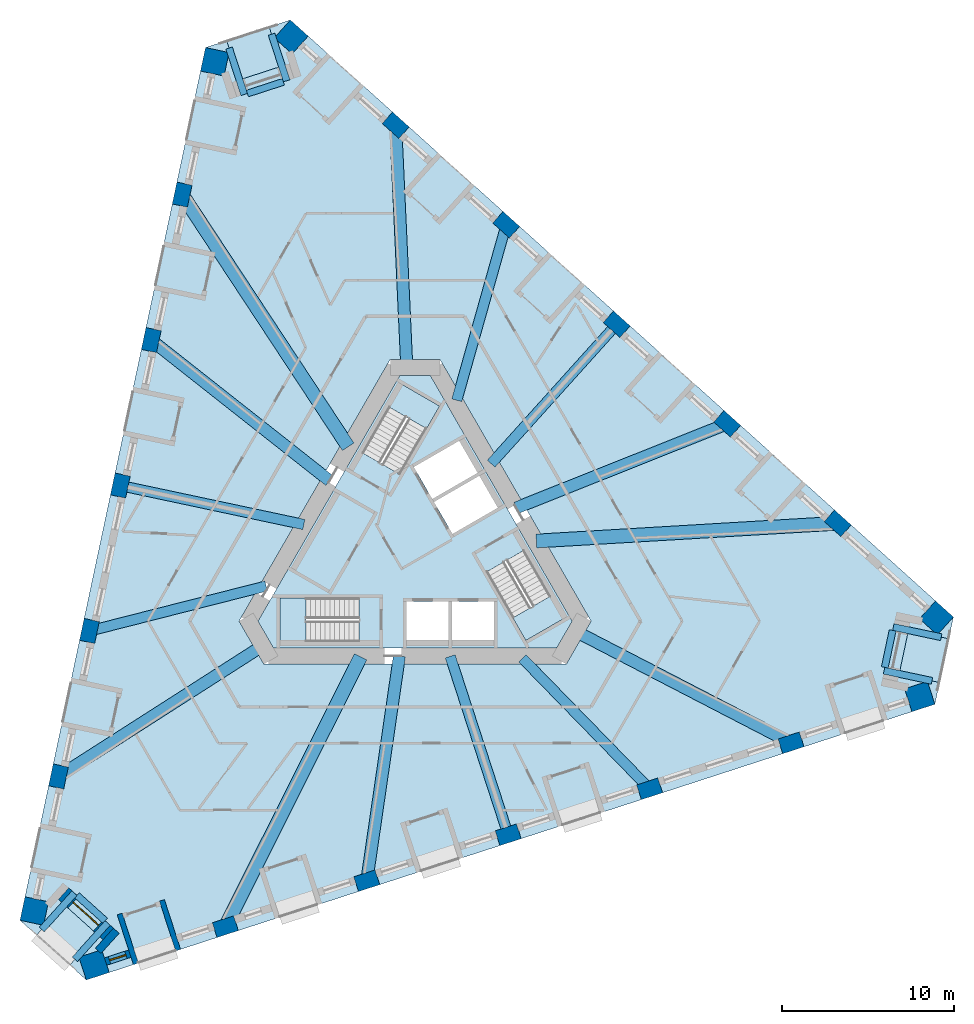
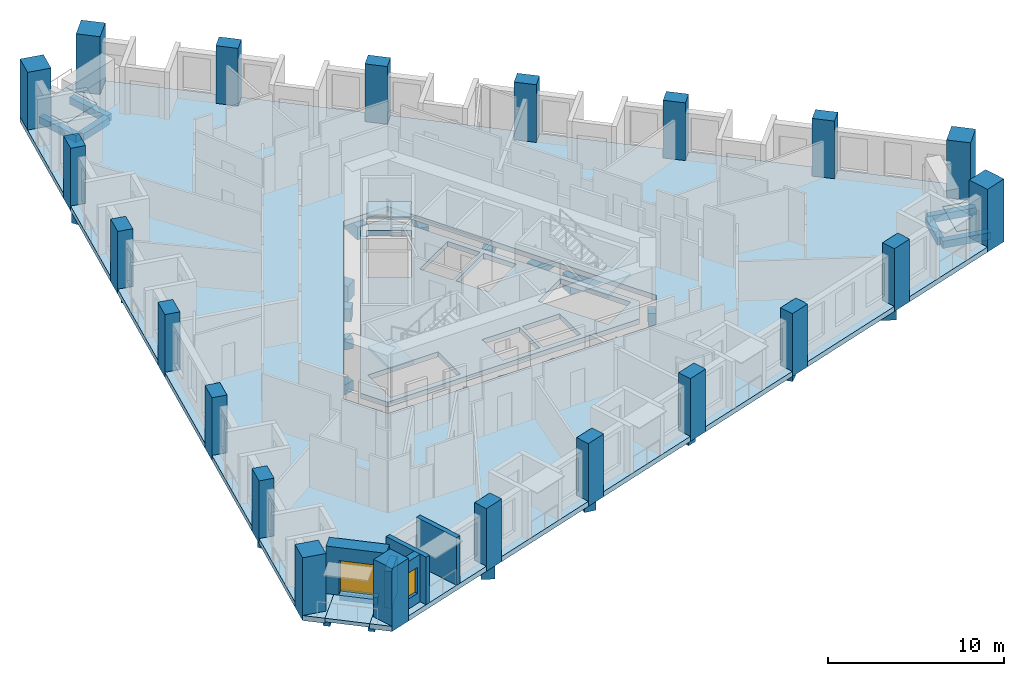
# One storey, part 1 of 12: 24 beams, 21 columns, 8 slabs, 5 walls, 1 door, 1 window, 2 openings, 3 elements without a shape of their own.
"""IFC4 building model written with IfcOpenShell, lengths in metres."""

from ifc_helpers import new_model, si_unit, direction, frame, frame_2d, origin, origin_2d, place, context, subcontext, project, spatial, polyline, rectangle, outline, extrude, material, layer, layer_set, material_profile, profile_set, type_object, element, fill, aggregate, save


model = new_model("IFC4")

# Units and contexts
model_context = context("Model", 3, precision=1e-05, world=origin(), true_north=direction((0.0, 1.0)))
body_context = subcontext(model_context, "Body", "Model", "MODEL_VIEW")
ifc_project = project(units=[si_unit("LENGTHUNIT", "METRE"), si_unit("AREAUNIT", "SQUARE_METRE"), si_unit("VOLUMEUNIT", "CUBIC_METRE"), si_unit("PLANEANGLEUNIT", "RADIAN"), si_unit("MASSUNIT", "GRAM", prefix="KILO")], contexts=[model_context])

# Site, building, storey
site_placement = place(None, origin())
site = spatial("IfcSite", under=ifc_project, at=site_placement, CompositionType="ELEMENT")
building_placement = place(site_placement, origin())
building = spatial("IfcBuilding", under=site, at=building_placement, Name="Tramontana Tower", CompositionType="ELEMENT")
storey_placement = place(building_placement, frame((0.0, 0.0, 88.39990234375)))
storey = spatial("IfcBuildingStorey", under=building, at=storey_placement, Name="L19", CompositionType="ELEMENT", Elevation=88.39990234375)

# Columns
ifc_material_1 = material(Name="Concrete 70 MPa", Category="concrete")
ifc_material_profile_1 = material_profile(ifc_material_1, rectangle(XDim=1.39990234375, YDim=1.39990234375, at=origin_2d()), Name="Mega column 1400X1400 70 MPa")
ifc_profile_set_1 = profile_set([ifc_material_profile_1], Name="Concrete 70 MPa")
column_type_1 = type_object("IfcColumnType", Name="Mega column 1400X1400 70 MPa", PredefinedType="COLUMN", material=ifc_profile_set_1)
for number, where, z_axis, x_axis, name in (
    (1, (-11.665771484375, 28.3251953125, -0.349853515625), (0.0, 0.0, 1.0), (-0.207911690818, -0.978147600734, 0.0), "Mega column C2K1 L19"),
    (2, (-22.17822265625, -21.13134765625, -0.349853515625), (0.0, 0.0, 1.0), (-0.207911690818, -0.978147600734, 0.0), "Mega column C2K2 L19"),
    (3, (-18.697509765625, -24.265380859375, -0.349853515625), (0.0, 0.0, 1.0), (0.951056516295, 0.309016994375, 0.0), "Mega column C2K3 L19"),
    (4, (29.389404296875, -8.64111328125, -0.349853515625), (0.0, 0.0, 1.0), (0.951056516295, 0.309016994375, 0.0), "Mega column C2K4 L19"),
    (5, (30.36328125, -4.059814453125, -0.349853515625), (0.0, 0.0, 1.0), (-0.743144825477, 0.669130606359, 0.0), "Mega column C2K5 L19"),
    (6, (-7.21142578125, 29.7724609375, -0.349853515625), (0.0, 0.0, 1.0), (-0.743144825477, 0.669130606359, 0.0), "Mega column C2K6 L19"),
):
    element("IfcColumn", number, at=place(storey_placement, frame(where, z_axis=z_axis, x_axis=x_axis)), inside=storey, type_object=column_type_1, Name=name, PredefinedType="COLUMN", context=body_context, shape_type="SweptSolid", body=[
        extrude(rectangle(XDim=1.39990234375, YDim=1.39990234375, at=origin_2d()), origin(), (0.0, 0.0, 1.0), 4.349853515625),
    ])
ifc_material_2 = material(Name="Concrete 55 MPa", Category="concrete")
ifc_material_profile_2 = material_profile(ifc_material_2, rectangle(XDim=1.300048828125, YDim=0.89990234375, at=origin_2d()), Name="Pier column 1300X900 55 MPa")
ifc_profile_set_2 = profile_set([ifc_material_profile_2], Name="Concrete 55 MPa")
column_type_2 = type_object("IfcColumnType", Name="Pier column 1300X900 55 MPa", PredefinedType="COLUMN", material=ifc_profile_set_2)
for number, where, z_axis, x_axis, name in (
    (7, (-13.5654296875, 20.5908203125, -0.349853515625), (0.0, 0.0, 1.0), (-0.207911690818, -0.978147600734, 0.0), "Pier column C2F01 L19"),
    (8, (-15.365966796875, 12.119873046875, -0.349853515625), (0.0, 0.0, 1.0), (-0.207911690818, -0.978147600734, 0.0), "Pier column C2F02 L19"),
    (9, (-17.16650390625, 3.64892578125, -0.349853515625), (0.0, 0.0, 1.0), (-0.207911690818, -0.978147600734, 0.0), "Pier column C2F03 L19"),
    (10, (-18.967041015625, -4.822265625, -0.349853515625), (0.0, 0.0, 1.0), (-0.207911690818, -0.978147600734, 0.0), "Pier column C2F04 L19"),
    (11, (-20.767578125, -13.293212890625, -0.349853515625), (0.0, 0.0, 1.0), (-0.207911690818, -0.978147600734, 0.0), "Pier column C2F05 L19"),
    (12, (-11.049560546875, -22.04345703125, -0.349853515625), (0.0, 0.0, 1.0), (0.951056516295, 0.309016994375, 0.0), "Pier column C2F06 L19"),
    (13, (-2.813232421875, -19.3671875, -0.349853515625), (0.0, 0.0, 1.0), (0.951056516295, 0.309016994375, 0.0), "Pier column C2F07 L19"),
    (14, (5.42333984375, -16.691162109375, -0.349853515625), (0.0, 0.0, 1.0), (0.951056516295, 0.309016994375, 0.0), "Pier column C2F08 L19"),
    (15, (13.65966796875, -14.014892578125, -0.349853515625), (0.0, 0.0, 1.0), (0.951056516295, 0.309016994375, 0.0), "Pier column C2F09 L19"),
    (16, (21.89599609375, -11.338623046875, -0.349853515625), (0.0, 0.0, 1.0), (0.951056516295, 0.309016994375, 0.0), "Pier column C2F10 L19"),
    (17, (24.614990234375, 1.452392578125, -0.349853515625), (0.0, 0.0, 1.0), (-0.743144825477, 0.669130606359, 0.0), "Pier column C2F11 L19"),
    (18, (18.178955078125, 7.247314453125, -0.349853515625), (0.0, 0.0, 1.0), (-0.743144825477, 0.669130606359, 0.0), "Pier column C2F12 L19"),
    (19, (11.7431640625, 13.042236328125, -0.349853515625), (0.0, 0.0, 1.0), (-0.743144825477, 0.669130606359, 0.0), "Pier column C2F13 L19"),
    (20, (5.307373046875, 18.8369140625, -0.349853515625), (0.0, 0.0, 1.0), (-0.743144825477, 0.669130606359, 0.0), "Pier column C2F14 L19"),
    (21, (-1.12841796875, 24.6318359375, -0.349853515625), (0.0, 0.0, 1.0), (-0.743144825477, 0.669130606359, 0.0), "Pier column C2F15 L19"),
):
    element("IfcColumn", number, at=place(storey_placement, frame(where, z_axis=z_axis, x_axis=x_axis)), inside=storey, type_object=column_type_2, Name=name, PredefinedType="COLUMN", context=body_context, shape_type="SweptSolid", body=[
        extrude(rectangle(XDim=1.300048828125, YDim=0.89990234375, at=origin_2d()), origin(), (0.0, 0.0, 1.0), 4.349853515625),
    ])

# Beams
ifc_material_3 = material(Name="Concrete 40 MPa", Category="concrete")
ifc_material_profile_3 = material_profile(ifc_material_3, rectangle(XDim=0.60009765625, YDim=0.699951171875, at=origin_2d()), Name="RC GIRDER 600X700 40 MPa")
ifc_profile_set_3 = profile_set([ifc_material_profile_3], Name="Concrete 40 MPa")
beam_type_1 = type_object("IfcBeamType", Name="RC GIRDER 600X700 40 MPa", PredefinedType="BEAM", material=ifc_profile_set_3)
beam_1_placement = place(storey_placement, frame((-17.16650390625, 3.64892578125, -0.699951171875), z_axis=(0.978147322784, -0.207912998466, 0.0), x_axis=(0.207912998466, 0.978147322784, 0.0)))
element("IfcBeam", 22, at=beam_1_placement, inside=storey, type_object=beam_type_1, Name="Radial girder C2F03 L19", PredefinedType="BEAM", context=body_context, shape_type="SweptSolid", body=[
    extrude(rectangle(XDim=0.60009765625, YDim=0.699951171875, at=origin_2d()), origin(), (0.0, 0.0, 1.0), 10.927490234375),
])
beam_2_placement = place(storey_placement, frame((-18.967041015625, -4.822265625, -0.699951171875), z_axis=(0.969167879742, 0.24640134106, 0.0), x_axis=(-0.24640134106, 0.969167879742, 0.0)))
element("IfcBeam", 23, at=beam_2_placement, inside=storey, type_object=beam_type_1, Name="Radial girder C2F04 L19", PredefinedType="BEAM", context=body_context, shape_type="SweptSolid", body=[
    extrude(rectangle(XDim=0.60009765625, YDim=0.699951171875, at=origin_2d()), origin(), (0.0, 0.0, 1.0), 10.61962890625),
])
beam_3_placement = place(storey_placement, frame((5.423095703125, -16.69091796875, -0.699951171875), z_axis=(-0.309006757929, 0.951059842257, 0.0), x_axis=(-0.951059842257, -0.309006757929, 0.0)))
element("IfcBeam", 24, at=beam_3_placement, inside=storey, type_object=beam_type_1, Name="Radial girder C2F08 L19", PredefinedType="BEAM", context=body_context, shape_type="SweptSolid", body=[
    extrude(rectangle(XDim=0.60009765625, YDim=0.699951171875, at=origin_2d()), origin(), (0.0, 0.0, 1.0), 10.927734375),
])
beam_4_placement = place(storey_placement, frame((13.65966796875, -14.014892578125, -0.699951171875), z_axis=(-0.697979323515, 0.716117912041, 0.0), x_axis=(-0.716117912041, -0.697979323515, 0.0)))
element("IfcBeam", 25, at=beam_4_placement, inside=storey, type_object=beam_type_1, Name="Radial girder C2F09 L19", PredefinedType="BEAM", context=body_context, shape_type="SweptSolid", body=[
    extrude(rectangle(XDim=0.60009765625, YDim=0.699951171875, at=origin_2d()), origin(), (0.0, 0.0, 1.0), 10.61962890625),
])
beam_5_placement = place(storey_placement, frame((11.7431640625, 13.042236328125, -0.699951171875), z_axis=(-0.669128882364, -0.743146377766, 0.0), x_axis=(0.743146377766, -0.669128882364, 0.0)))
element("IfcBeam", 26, at=beam_5_placement, inside=storey, type_object=beam_type_1, Name="Radial girder C2F13 L19", PredefinedType="BEAM", context=body_context, shape_type="SweptSolid", body=[
    extrude(rectangle(XDim=0.60009765625, YDim=0.699951171875, at=origin_2d()), origin(), (0.0, 0.0, 1.0), 10.927734375),
])
beam_6_placement = place(storey_placement, frame((5.307373046875, 18.8369140625, -0.699951171875), z_axis=(-0.271184951147, -0.962527257937, 0.0), x_axis=(0.962527257937, -0.271184951147, 0.0)))
element("IfcBeam", 27, at=beam_6_placement, inside=storey, type_object=beam_type_1, Name="Radial girder C2F14 L19", PredefinedType="BEAM", context=body_context, shape_type="SweptSolid", body=[
    extrude(rectangle(XDim=0.60009765625, YDim=0.699951171875, at=origin_2d()), origin(), (0.0, 0.0, 1.0), 10.61962890625),
])
ifc_material_4 = material(Name="Concrete 40 MPa", Category="concrete")
ifc_material_profile_4 = material_profile(ifc_material_4, rectangle(XDim=0.699951171875, YDim=0.89990234375, at=origin_2d()), Name="RC GIRDER 700X900 40 MPa")
ifc_profile_set_4 = profile_set([ifc_material_profile_4], Name="Concrete 40 MPa")
beam_type_2 = type_object("IfcBeamType", Name="RC GIRDER 700X900 40 MPa", PredefinedType="BEAM", material=ifc_profile_set_4)
beam_7_placement = place(storey_placement, frame((-15.365966796875, 12.119873046875, -0.7998046875), z_axis=(0.785161962565, -0.619290475093, 0.0), x_axis=(0.619290475093, 0.785161962565, 0.0)))
element("IfcBeam", 28, at=beam_7_placement, inside=storey, type_object=beam_type_2, Name="Radial girder C2F02 L19", PredefinedType="BEAM", context=body_context, shape_type="SweptSolid", body=[
    extrude(rectangle(XDim=0.699951171875, YDim=0.89990234375, at=origin_2d()), origin(), (0.0, 0.0, 1.0), 13.224609375),
])
beam_8_placement = place(storey_placement, frame((-20.767578125, -13.293212890625, -0.7998046875), z_axis=(0.842236860049, 0.539107662323, 0.0), x_axis=(-0.539107662323, 0.842236860049, 0.0)))
element("IfcBeam", 29, at=beam_8_placement, inside=storey, type_object=beam_type_2, Name="Radial girder C2F05 L19", PredefinedType="BEAM", context=body_context, shape_type="SweptSolid", body=[
    extrude(rectangle(XDim=0.699951171875, YDim=0.89990234375, at=origin_2d()), origin(), (0.0, 0.0, 1.0), 14.12109375),
])
beam_9_placement = place(storey_placement, frame((-2.81298828125, -19.3671875, -0.7998046875), z_axis=(0.143736706845, 0.989615965466, 0.0), x_axis=(-0.989615965466, 0.143736706845, 0.0)))
element("IfcBeam", 30, at=beam_9_placement, inside=storey, type_object=beam_type_2, Name="Radial girder C2F07 L19", PredefinedType="BEAM", context=body_context, shape_type="SweptSolid", body=[
    extrude(rectangle(XDim=0.699951171875, YDim=0.89990234375, at=origin_2d()), origin(), (0.0, 0.0, 1.0), 13.224609375),
])
beam_10_placement = place(storey_placement, frame((21.89599609375, -11.338623046875, -0.7998046875), z_axis=(-0.88800272981, 0.45983818007, 0.0), x_axis=(-0.45983818007, -0.88800272981, 0.0)))
element("IfcBeam", 31, at=beam_10_placement, inside=storey, type_object=beam_type_2, Name="Radial girder C2F10 L19", PredefinedType="BEAM", context=body_context, shape_type="SweptSolid", body=[
    extrude(rectangle(XDim=0.699951171875, YDim=0.89990234375, at=origin_2d()), origin(), (0.0, 0.0, 1.0), 14.12109375),
])
beam_11_placement = place(storey_placement, frame((18.17919921875, 7.247314453125, -0.7998046875), z_axis=(-0.928907671919, -0.370311405509, 0.0), x_axis=(0.370311405509, -0.928907671919, 0.0)))
element("IfcBeam", 32, at=beam_11_placement, inside=storey, type_object=beam_type_2, Name="Radial girder C2F12 L19", PredefinedType="BEAM", context=body_context, shape_type="SweptSolid", body=[
    extrude(rectangle(XDim=0.699951171875, YDim=0.89990234375, at=origin_2d()), origin(), (0.0, 0.0, 1.0), 13.224609375),
])
beam_12_placement = place(storey_placement, frame((-1.12841796875, 24.6318359375, -0.7998046875), z_axis=(0.045763702309, -0.99895229293, 0.0), x_axis=(0.99895229293, 0.045763702309, 0.0)))
element("IfcBeam", 33, at=beam_12_placement, inside=storey, type_object=beam_type_2, Name="Radial girder C2F15 L19", PredefinedType="BEAM", context=body_context, shape_type="SweptSolid", body=[
    extrude(rectangle(XDim=0.699951171875, YDim=0.89990234375, at=origin_2d()), origin(), (0.0, 0.0, 1.0), 14.121337890625),
])
ifc_material_5 = material(Name="Concrete 40 MPa", Category="concrete")
ifc_material_profile_5 = material_profile(ifc_material_5, rectangle(XDim=0.800048828125, YDim=1.10009765625, at=origin_2d()), Name="RC GIRDER 800X1100 40 MPa")
ifc_profile_set_5 = profile_set([ifc_material_profile_5], Name="Concrete 40 MPa")
beam_type_3 = type_object("IfcBeamType", Name="RC GIRDER 800X1100 40 MPa", PredefinedType="BEAM", material=ifc_profile_set_5)
beam_13_placement = place(storey_placement, frame((-13.5654296875, 20.5908203125, -0.89990234375), z_axis=(0.550154503281, -0.835062885368, 0.0), x_axis=(0.835062885368, 0.550154503281, 0.0)))
element("IfcBeam", 34, at=beam_13_placement, inside=storey, type_object=beam_type_3, Name="Radial girder C2F01 L19", PredefinedType="BEAM", context=body_context, shape_type="SweptSolid", body=[
    extrude(rectangle(XDim=0.800048828125, YDim=1.10009765625, at=origin_2d()), origin(), (0.0, 0.0, 1.0), 17.58203125),
])
for number, where, z_axis, x_axis, name in (
    (35, (-11.049560546875, -22.04345703125, -0.89990234375), (0.448118712833, 0.893974059584, 0.0), (-0.893974059584, 0.448118712833, 0.0), "Radial girder C2F06 L19"),
    (36, (24.614990234375, 1.452392578125, -0.89990234375), (-0.998263727152, -0.058902725346, 0.0), (0.058902725346, -0.998263727152, 0.0), "Radial girder C2F11 L19"),
):
    element("IfcBeam", number, at=place(storey_placement, frame(where, z_axis=z_axis, x_axis=x_axis)), inside=storey, type_object=beam_type_3, Name=name, PredefinedType="BEAM", context=body_context, shape_type="SweptSolid", body=[
        extrude(rectangle(XDim=0.800048828125, YDim=1.10009765625, at=origin_2d()), origin(), (0.0, 0.0, 1.0), 17.582275390625),
    ])
ifc_material_6 = material(Name="Concrete 40 MPa", Category="concrete")
ifc_material_profile_6 = material_profile(ifc_material_6, rectangle(XDim=0.39990234375, YDim=0.5, at=origin_2d()), Name="RC TRIM BEAM 400X500 40 MPa")
ifc_profile_set_6 = profile_set([ifc_material_profile_6], Name="Concrete 40 MPa")
beam_type_4 = type_object("IfcBeamType", Name="RC TRIM BEAM 400X500 40 MPa", PredefinedType="JOIST", material=ifc_profile_set_6)
beam_14_placement = place(storey_placement, frame((-7.668212890625, 27.15966796875, -0.599853515625), z_axis=(-0.951074837842, -0.308960600764, 0.0), x_axis=(0.308960600764, -0.951074837842, 0.0)))
element("IfcBeam", 37, at=beam_14_placement, inside=storey, type_object=beam_type_4, Name="Trimmer beam K0 L19", PredefinedType="JOIST", context=body_context, shape_type="SweptSolid", body=[
    extrude(rectangle(XDim=0.39990234375, YDim=0.5, at=origin_2d()), origin(), (0.0, 0.0, 1.0), 2.199951171875),
])
beam_15_placement = place(storey_placement, frame((-8.358642578125, 29.931884765625, -0.599853515625), z_axis=(0.309074450338, -0.951037845802, 0.0), x_axis=(0.951037845802, 0.309074450338, 0.0)))
element("IfcBeam", 38, at=beam_15_placement, inside=storey, type_object=beam_type_4, Name="Tray beam K0L L19", PredefinedType="JOIST", context=body_context, shape_type="SweptSolid", body=[
    extrude(rectangle(XDim=0.39990234375, YDim=0.5, at=origin_2d()), origin(), (0.0, 0.0, 1.0), 2.85009765625),
])
beam_16_placement = place(storey_placement, frame((-10.831298828125, 29.128662109375, -0.599853515625), z_axis=(0.308996966804, -0.951063023414, 0.0), x_axis=(0.951063023414, 0.308996966804, 0.0)))
element("IfcBeam", 39, at=beam_16_placement, inside=storey, type_object=beam_type_4, Name="Tray beam K0R L19", PredefinedType="JOIST", context=body_context, shape_type="SweptSolid", body=[
    extrude(rectangle(XDim=0.39990234375, YDim=0.5, at=origin_2d()), origin(), (0.0, 0.0, 1.0), 2.849853515625),
])
beam_17_placement = place(storey_placement, frame((-19.68701171875, -20.220703125, -0.599853515625), z_axis=(0.743200331247, -0.669068955814, 0.0), x_axis=(0.669068955814, 0.743200331247, 0.0)))
element("IfcBeam", 40, at=beam_17_placement, inside=storey, type_object=beam_type_4, Name="Trimmer beam K1 L19", PredefinedType="JOIST", context=body_context, shape_type="SweptSolid", body=[
    extrude(rectangle(XDim=0.39990234375, YDim=0.5, at=origin_2d()), origin(), (0.0, 0.0, 1.0), 2.199951171875),
])
for number, where, z_axis, x_axis, name in (
    (41, (-21.74267578125, -22.204833984375, -0.599853515625), (0.669130365822, 0.743145042057, 0.0), (-0.743145042057, 0.669130365822, 0.0), "Tray beam K1L L19"),
    (42, (-19.810302734375, -23.944580078125, -0.599853515625), (0.669130365822, 0.743145042057, 0.0), (-0.743145042057, 0.669130365822, 0.0), "Tray beam K1R L19"),
):
    element("IfcBeam", number, at=place(storey_placement, frame(where, z_axis=z_axis, x_axis=x_axis)), inside=storey, type_object=beam_type_4, Name=name, PredefinedType="JOIST", context=body_context, shape_type="SweptSolid", body=[
        extrude(rectangle(XDim=0.39990234375, YDim=0.5, at=origin_2d()), origin(), (0.0, 0.0, 1.0), 2.849853515625),
    ])
beam_18_placement = place(storey_placement, frame((27.35498046875, -6.939208984375, -0.599853515625), z_axis=(0.207945017321, 0.978140516373, 0.0), x_axis=(-0.978140516373, 0.207945017321, 0.0)))
element("IfcBeam", 43, at=beam_18_placement, inside=storey, type_object=beam_type_4, Name="Trimmer beam K2 L19", PredefinedType="JOIST", context=body_context, shape_type="SweptSolid", body=[
    extrude(rectangle(XDim=0.39990234375, YDim=0.5, at=origin_2d()), origin(), (0.0, 0.0, 1.0), 2.2001953125),
])
for number, where, z_axis, x_axis, name in (
    (44, (30.101318359375, -7.727294921875, -0.599853515625), (-0.978150795153, 0.20789666169, 0.0), (-0.20789666169, -0.978150795153, 0.0), "Tray beam K2L L19"),
    (45, (30.641845703125, -5.18408203125, -0.599853515625), (-0.978150795153, 0.20789666169, 0.0), (-0.20789666169, -0.978150795153, 0.0), "Tray beam K2R L19"),
):
    element("IfcBeam", number, at=place(storey_placement, frame(where, z_axis=z_axis, x_axis=x_axis)), inside=storey, type_object=beam_type_4, Name=name, PredefinedType="JOIST", context=body_context, shape_type="SweptSolid", body=[
        extrude(rectangle(XDim=0.39990234375, YDim=0.5, at=origin_2d()), origin(), (0.0, 0.0, 1.0), 2.85009765625),
    ])

# Slabs
ifc_material_7 = material(Name="Precast concrete 50 MPa", Category="concrete")
ifc_layer_1 = layer(ifc_material_7, 0.25)
ifc_layer_set_1 = layer_set([ifc_layer_1], Name="LT1 Loggia floor tray 250")
slab_type_1 = type_object("IfcSlabType", Name="LT1 Loggia floor tray 250", PredefinedType="FLOOR", material=ifc_layer_set_1)
slab_1_placement = place(storey_placement, frame((0.0, 0.0, -0.25)))
element("IfcSlab", 46, at=slab_1_placement, inside=storey, type_object=slab_type_1, Name="Corner loggia floor L19 K20", PredefinedType="FLOOR", context=body_context, shape_type="SweptSolid", body=[
    extrude(outline(polyline([(-8.49755859375, 30.360107421875), (-7.756103515625, 28.077392578125), (-10.228759765625, 27.27392578125), (-10.970458984375, 29.556640625), (-8.49755859375, 30.360107421875)])), origin(), (0.0, 0.0, 1.0), 0.25),
])
slab_2_placement = place(storey_placement, frame((0.0, 0.0, -0.25)))
element("IfcSlab", 47, at=slab_2_placement, inside=storey, type_object=slab_type_1, Name="Corner loggia floor L19 K21", PredefinedType="FLOOR", context=body_context, shape_type="SweptSolid", body=[
    extrude(outline(polyline([(-22.043701171875, -22.539306640625), (-20.437744140625, -20.755615234375), (-18.505615234375, -22.495361328125), (-20.111572265625, -24.279052734375), (-22.043701171875, -22.539306640625)])), origin(), (0.0, 0.0, 1.0), 0.25),
])
slab_3_placement = place(storey_placement, frame((0.0, 0.0, -0.25)))
element("IfcSlab", 48, at=slab_3_placement, inside=storey, type_object=slab_type_1, Name="Corner loggia floor L19 K22", PredefinedType="FLOOR", context=body_context, shape_type="SweptSolid", body=[
    extrude(outline(polyline([(30.541259765625, -7.82080078125), (28.19384765625, -7.32177734375), (28.734375, -4.778564453125), (31.08203125, -5.277587890625), (30.541259765625, -7.82080078125)])), origin(), (0.0, 0.0, 1.0), 0.25),
])
ifc_material_8 = material(Name="Concrete 40 MPa", Category="concrete")
ifc_layer_2 = layer(ifc_material_8, 0.35009765625)
ifc_layer_set_2 = layer_set([ifc_layer_2], Name="PT FLAT SLAB 350 40 MPa")
slab_type_2 = type_object("IfcSlabType", Name="PT FLAT SLAB 350 40 MPa", PredefinedType="FLOOR", material=ifc_layer_set_2)
slab_4_placement = place(storey_placement, frame((0.0, 0.0, -0.349853515625)))
element("IfcSlab", 49, at=slab_4_placement, inside=storey, type_object=slab_type_2, Name="Floor slab L19", PredefinedType="FLOOR", context=body_context, shape_type="SweptSolid", body=[
    extrude(outline(polyline([(31.081787109375, -5.277587890625), (28.734375, -4.778564453125), (28.19384765625, -7.32177734375), (30.54150390625, -7.82080078125), (30.271484375, -9.090576171875), (-19.14697265625, -25.1474609375), (-20.111572265625, -24.27880859375), (-18.505615234375, -22.495361328125), (-20.437744140625, -20.755615234375), (-22.043701171875, -22.539306640625), (-23.00830078125, -21.670654296875), (-12.205078125, 29.155517578125), (-10.970458984375, 29.556640625), (-10.228759765625, 27.27392578125), (-7.756103515625, 28.077392578125), (-8.497802734375, 30.360107421875), (-7.26318359375, 30.760986328125), (31.351806640625, -4.0078125), (31.081787109375, -5.277587890625)]), holes=[polyline([(-10.248046875, -4.25), (-8.8046875, -6.75), (8.8046875, -6.75), (10.248046875, -4.25), (1.443359375, 11.0), (-1.443359375, 11.0), (-10.248046875, -4.25)])]), origin(), (0.0, 0.0, 1.0), 0.349853515625),
])
slab_5_placement = place(storey_placement, frame((0.0, 0.0, -0.349853515625)))
element("IfcSlab", 50, at=slab_5_placement, inside=storey, type_object=slab_type_2, Name="Core floor slab L19", PredefinedType="FLOOR", context=body_context, shape_type="SweptSolid", body=[
    extrude(outline(polyline([(9.15087890625, -4.25), (8.256103515625, -5.800048828125), (-8.256103515625, -5.800048828125), (-9.15087890625, -4.25), (-0.89501953125, 10.050048828125), (0.89501953125, 10.050048828125), (9.15087890625, -4.25)]), holes=[polyline([(8.659912109375, -4.099365234375), (6.35986328125, -0.115478515625), (4.151611328125, -1.390625), (6.451416015625, -5.374267578125), (8.659912109375, -4.099365234375)]), polyline([(3.829833984375, 4.2666015625), (1.101806640625, 2.69140625), (2.177001953125, 0.82958984375), (4.90478515625, 2.404541015625), (3.829833984375, 4.2666015625)]), polyline([(4.590087890625, -3.10009765625), (2.139892578125, -3.10009765625), (2.139892578125, -5.449951171875), (4.590087890625, -5.449951171875), (4.590087890625, -3.10009765625)]), polyline([(2.65478515625, 6.3017578125), (-0.072998046875, 4.726806640625), (1.001953125, 2.86474609375), (3.729736328125, 4.439697265625), (2.65478515625, 6.3017578125)]), polyline([(1.93994140625, -5.449951171875), (1.93994140625, -3.10009765625), (-0.510009765625, -3.10009765625), (-0.510009765625, -5.449951171875), (1.93994140625, -5.449951171875)]), polyline([(-0.77978515625, 9.54931640625), (-3.079833984375, 5.565673828125), (-0.87158203125, 4.29052734375), (1.428466796875, 8.2744140625), (-0.77978515625, 9.54931640625)]), polyline([(-7.8798828125, -5.449951171875), (-3.280029296875, -5.449951171875), (-3.280029296875, -2.89990234375), (-7.8798828125, -2.89990234375), (-7.8798828125, -5.449951171875)])]), origin(), (0.0, 0.0, 1.0), 0.349853515625),
])

# Stair, slab
ifc_material_9 = material(Name="Concrete 40 MPa", Category="concrete")
stair_type = type_object("IfcStairType", Name="EXIT STAIR 24 RISERS", PredefinedType="HALF_TURN_STAIR", material=ifc_material_9)
stair_1_placement = place(storey_placement, origin())
stair_1 = element("IfcStair", 51, at=stair_1_placement, inside=storey, type_object=stair_type, Name="L19 Exit stair ST1", PredefinedType="HALF_TURN_STAIR")
ifc_material_10 = material(Name="Concrete 40 MPa", Category="concrete")
ifc_layer_3 = layer(ifc_material_10, 0.199951171875)
ifc_layer_set_3 = layer_set([ifc_layer_3], Name="STAIR LANDING 200")
slab_type_3 = type_object("IfcSlabType", Name="STAIR LANDING 200", PredefinedType="LANDING", material=ifc_layer_set_3)
slab_6_placement = place(storey_placement, frame((0.0, 0.0, 1.800048828125)))
slab_6 = element("IfcSlab", 52, at=slab_6_placement, type_object=slab_type_3, Name="ST1 landing 1", PredefinedType="LANDING", context=body_context, shape_type="SweptSolid", body=[
    extrude(outline(polyline([(0.66845703125, 6.9580078125), (1.428466796875, 8.274169921875), (-0.77978515625, 9.54931640625), (-1.539794921875, 8.23291015625), (0.66845703125, 6.9580078125)])), origin(), (0.0, 0.0, 1.0), 0.199951171875),
])
aggregate(stair_1, [slab_6])

stair_2_placement = place(storey_placement, origin())
stair_2 = element("IfcStair", 53, at=stair_2_placement, inside=storey, type_object=stair_type, Name="L19 Exit stair ST2", PredefinedType="HALF_TURN_STAIR")
slab_7_placement = place(storey_placement, frame((0.0, 0.0, 1.800048828125)))
slab_7 = element("IfcSlab", 54, at=slab_7_placement, type_object=slab_type_3, Name="ST2 landing 1", PredefinedType="LANDING", context=body_context, shape_type="SweptSolid", body=[
    extrude(outline(polyline([(-6.360107421875, -2.89990234375), (-7.8798828125, -2.89990234375), (-7.8798828125, -5.449951171875), (-6.360107421875, -5.449951171875), (-6.360107421875, -2.89990234375)])), origin(), (0.0, 0.0, 1.0), 0.199951171875),
])
aggregate(stair_2, [slab_7])

stair_3_placement = place(storey_placement, origin())
stair_3 = element("IfcStair", 55, at=stair_3_placement, inside=storey, type_object=stair_type, Name="L19 Exit stair ST3", PredefinedType="HALF_TURN_STAIR")
slab_8_placement = place(storey_placement, frame((0.0, 0.0, 1.800048828125)))
slab_8 = element("IfcSlab", 56, at=slab_8_placement, type_object=slab_type_3, Name="ST3 landing 1", PredefinedType="LANDING", context=body_context, shape_type="SweptSolid", body=[
    extrude(outline(polyline([(5.69140625, -4.057861328125), (6.451416015625, -5.374267578125), (8.659912109375, -4.099365234375), (7.89990234375, -2.782958984375), (5.69140625, -4.057861328125)])), origin(), (0.0, 0.0, 1.0), 0.199951171875),
])
aggregate(stair_3, [slab_8])

# Wall, opening, window
ifc_material_11 = material(Name="Precast concrete 60 MPa", Category="concrete")
ifc_layer_4 = layer(ifc_material_11, 0.449951171875)
ifc_layer_set_4 = layer_set([ifc_layer_4], Name="Precast concrete 60 MPa, 450 mm")
wall_type_1 = type_object("IfcWallType", Name="EW1 Stone-faced precast wall 450", PredefinedType="SOLIDWALL", material=ifc_layer_set_4)
wall_1_placement = place(storey_placement, frame((-18.02392578125, -24.072998046875, 0.0), z_axis=(0.0, 0.0, 1.0), x_axis=(0.951037689269, 0.309074931999, 0.0)))
wall_1 = element("IfcWall", 57, at=wall_1_placement, inside=storey, type_object=wall_type_1, Name="External wall L19 face 1 bay 1", PredefinedType="SOLIDWALL", context=body_context, shape_type="SweptSolid", body=[
    extrude(rectangle(XDim=1.486572265625, YDim=0.449951171875, at=frame_2d((0.7431640625, 0.0))), origin(), (0.0, 0.0, 1.0), 3.300048828125),
])
opening_1_placement = place(wall_1_placement, frame((0.243408203125, 0.0, 0.699951171875)))
opening_1 = element("IfcOpeningElement", 58, at=opening_1_placement, cuts=wall_1, Name="Opening N1L", PredefinedType="OPENING", context=body_context, shape_type="SweptSolid", body=[
    extrude(rectangle(XDim=1.0, YDim=1.800048828125, at=frame_2d((0.5, 0.89990234375))), frame((0.0, 0.23486328125, 0.0), z_axis=(0.0, -1.0, 0.0), x_axis=(1.0, 0.0, 0.0)), (0.0, 0.0, 1.0), 0.469970703125),
])
ifc_material_12 = material(Name="Aluminum frame, double glazing unit", Category="aluminium")
window_type = type_object("IfcWindowType", Name="N1L Window 1 x 1.8", PartitioningType="SINGLE_PANEL", PredefinedType="WINDOW", material=ifc_material_12)
window_placement = place(opening_1_placement, origin())
window = element("IfcWindow", 59, at=window_placement, inside=storey, type_object=window_type, Name="Window N1L L19 face 1 module 1", OverallHeight=1.800048828125, OverallWidth=1.0, PartitioningType="SINGLE_PANEL", PredefinedType="WINDOW", context=body_context, shape_type="SweptSolid", body=[
    extrude(rectangle(XDim=1.0, YDim=1.800048828125, at=frame_2d((0.5, 0.89990234375))), frame((0.0, 0.030029296875, 0.0), z_axis=(0.0, -1.0, 0.0), x_axis=(1.0, 0.0, 0.0)), (0.0, 0.0, 1.0), 0.06005859375),
])
fill(opening_1, window)

# Wall
wall_2_placement = place(storey_placement, frame((-18.45849609375, -23.451904296875, 0.0), z_axis=(0.0, 0.0, 1.0), x_axis=(0.669109923521, 0.743163447867, 0.0)))
element("IfcWall", 60, at=wall_2_placement, inside=storey, type_object=wall_type_1, Name="Corner loggia side wall L19 K21l", PredefinedType="SOLIDWALL", context=body_context, shape_type="SweptSolid", body=[
    extrude(rectangle(XDim=1.5791015625, YDim=0.449951171875, at=frame_2d((0.78955078125, 0.0))), origin(), (0.0, 0.0, 1.0), 2.550048828125),
])

# Wall, opening, door
ifc_material_13 = material(Name="Precast concrete 60 MPa", Category="concrete")
ifc_layer_5 = layer(ifc_material_13, 0.89990234375)
ifc_layer_set_5 = layer_set([ifc_layer_5], Name="EW2 Stone-faced corner loggia wall 900")
wall_type_2 = type_object("IfcWallType", Name="EW2 Stone-faced corner loggia wall 900", PredefinedType="SOLIDWALL", material=ifc_layer_set_5)
wall_3_placement = place(storey_placement, frame((-17.8701171875, -22.462158203125, 0.0), z_axis=(0.0, 0.0, 1.0), x_axis=(-0.743141519559, 0.669134277936, 0.0)))
wall_3 = element("IfcWall", 61, at=wall_3_placement, inside=storey, type_object=wall_type_2, Name="Corner loggia wall L19 K21", PredefinedType="SOLIDWALL", context=body_context, shape_type="SweptSolid", body=[
    extrude(rectangle(XDim=3.5, YDim=0.89990234375, at=frame_2d((1.75, 0.0))), origin(), (0.0, 0.0, 1.0), 3.300048828125),
])
opening_2_placement = place(wall_3_placement, frame((0.75, 0.0, 0.0)))
opening_2 = element("IfcOpeningElement", 62, at=opening_2_placement, cuts=wall_3, Name="Opening BD-21C", PredefinedType="OPENING", context=body_context, shape_type="SweptSolid", body=[
    extrude(rectangle(XDim=2.0, YDim=2.39990234375, at=frame_2d((1.0, 1.199951171875))), frame((0.0, 0.4599609375, 0.0), z_axis=(0.0, -1.0, 0.0), x_axis=(1.0, 0.0, 0.0)), (0.0, 0.0, 1.0), 0.919921875),
])
ifc_material_14 = material(Name="Aluminum frame, double glazing unit", Category="aluminium")
door_type = type_object("IfcDoorType", Name="BC1 Sliding door 2 x 2.4", OperationType="SLIDING_TO_LEFT", PredefinedType="DOOR", material=ifc_material_14)
door_placement = place(opening_2_placement, origin())
door = element("IfcDoor", 63, at=door_placement, inside=storey, type_object=door_type, Name="Corner loggia door L19 K21", OperationType="SLIDING_TO_LEFT", OverallHeight=2.39990234375, OverallWidth=2.0, PredefinedType="DOOR", context=body_context, shape_type="SweptSolid", body=[
    extrude(rectangle(XDim=2.0, YDim=2.39990234375, at=frame_2d((1.0, 1.199951171875))), frame((0.0, 0.02490234375, 0.0), z_axis=(0.0, -1.0, 0.0), x_axis=(1.0, 0.0, 0.0)), (0.0, 0.0, 1.0), 0.050048828125),
])
fill(opening_2, door)

# Walls
ifc_material_15 = material(Name="Precast concrete 60 MPa", Category="concrete")
ifc_layer_6 = layer(ifc_material_15, 0.300048828125)
ifc_layer_set_6 = layer_set([ifc_layer_6], Name="LW1 Stone-faced loggia wall 300")
wall_type_3 = type_object("IfcWallType", Name="LW1 Stone-faced loggia wall 300", PredefinedType="SOLIDWALL", material=ifc_layer_set_6)
for number, where, z_axis, x_axis, name in (
    (64, (-16.2587890625, -24.209228515625, 0.0), (0.0, 0.0, 1.0), (-0.308966615996, 0.951072883748, 0.0), "Loggia return L19 G2S1.1a"),
    (65, (-13.798583984375, -23.40966796875, 0.0), (0.0, 0.0, 1.0), (-0.309062542235, 0.951041715693, 0.0), "Loggia return L19 G2S1.1b"),
):
    element("IfcWall", number, at=place(storey_placement, frame(where, z_axis=z_axis, x_axis=x_axis)), inside=storey, type_object=wall_type_3, Name=name, PredefinedType="SOLIDWALL", context=body_context, shape_type="SweptSolid", body=[
        extrude(rectangle(XDim=3.050048828125, YDim=0.300048828125, at=frame_2d((1.52490234375, 0.0))), origin(), (0.0, 0.0, 1.0), 3.300048828125),
    ])

save(model, "model.ifc")
